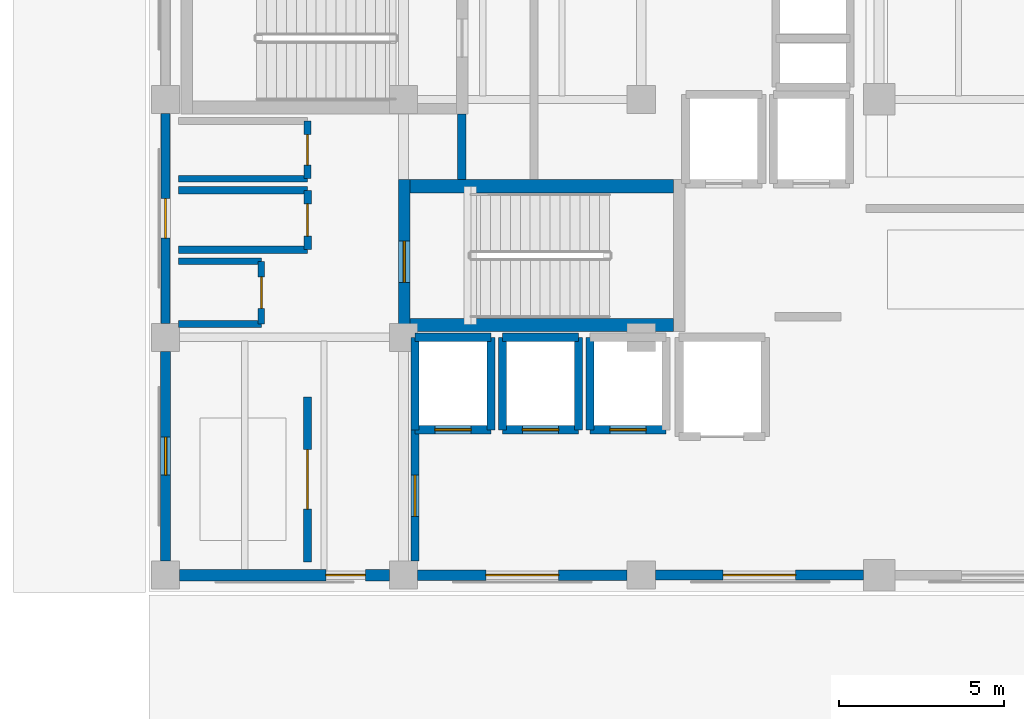
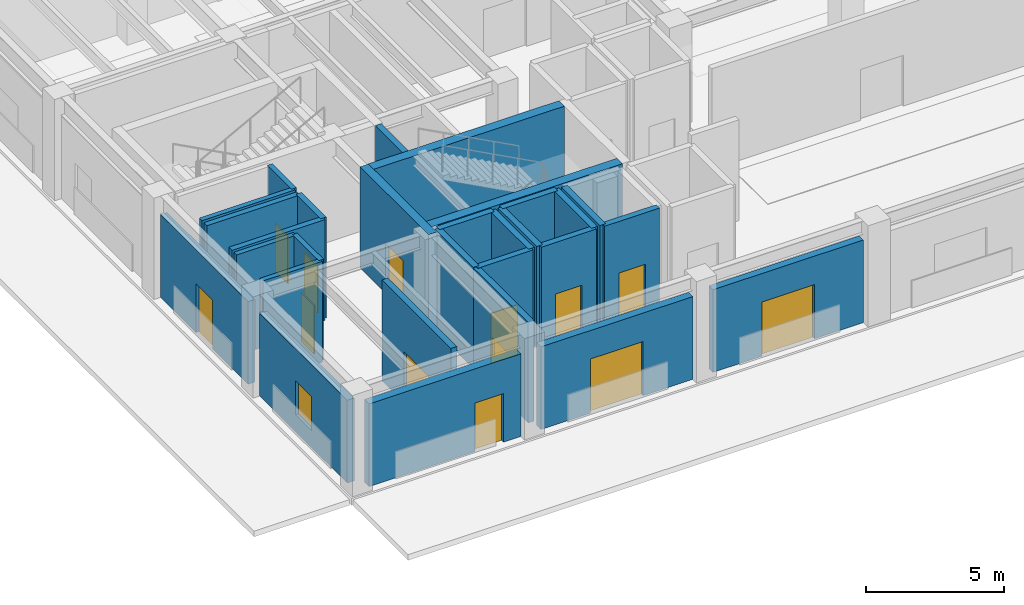
# One storey, part 23 of 39: 29 walls, 13 doors, 1 window, 14 openings.
"""IFC4 building model written with IfcOpenShell, lengths in metres."""

from ifc_helpers import new_model, si_unit, direction, frame, frame_2d, origin, place, context, subcontext, project, spatial, rectangle, extrude, material, layer, layer_set, type_object, element, fill, save


model = new_model("IFC4")

# Units and contexts
model_context = context("Model", 3, precision=1e-05, world=origin(), true_north=direction((0.0, 1.0)))
body_context = subcontext(model_context, "Body", "Model", "MODEL_VIEW")
ifc_project = project(units=[si_unit("LENGTHUNIT", "METRE"), si_unit("AREAUNIT", "SQUARE_METRE"), si_unit("VOLUMEUNIT", "CUBIC_METRE"), si_unit("PLANEANGLEUNIT", "RADIAN"), si_unit("MASSUNIT", "GRAM", prefix="KILO")], contexts=[model_context])

# Site, building, storey
site_placement = place(None, origin())
site = spatial("IfcSite", under=ifc_project, at=site_placement, CompositionType="ELEMENT")
building_placement = place(site_placement, origin())
building = spatial("IfcBuilding", under=site, at=building_placement, Name="Kandorven Conservatory and Botanical Research Centre", CompositionType="ELEMENT")
storey_placement = place(building_placement, origin())
storey = spatial("IfcBuildingStorey", under=building, at=storey_placement, Name="L00", CompositionType="ELEMENT", Elevation=0.0)

# Walls
ifc_material_1 = material(Name="Concrete C40/50 (M50)", Category="concrete")
ifc_layer_1 = layer(ifc_material_1, 0.39990234375)
ifc_layer_set_1 = layer_set([ifc_layer_1], Name="Concrete C40/50 (M50)")
wall_type_1 = type_object("IfcWallType", Name="Wall_CW-RC-1", PredefinedType="SHEAR", material=ifc_layer_set_1)
for number, where, z_axis, x_axis, name in (
    (1, (13.39990234375, 13.574951171875, 0.0), (0.0, 0.0, 1.0), (1.0, 0.0, 0.0), "Core stair shear wall CW-RC-1 ST-T1 L00 side A"),
    (2, (13.39990234375, 17.77490234375, 0.0), (0.0, 0.0, 1.0), (1.0, 0.0, 0.0), "Core stair shear wall CW-RC-1 ST-T1 L00 side B"),
):
    element("IfcWall", number, at=place(storey_placement, frame(where, z_axis=z_axis, x_axis=x_axis)), inside=storey, type_object=wall_type_1, Name=name, PredefinedType="SHEAR", context=body_context, shape_type="SweptSolid", body=[
        extrude(rectangle(XDim=7.97998046875, YDim=0.39990234375, at=frame_2d((3.989990234375, 0.0))), origin(), (0.0, 0.0, 1.0), 4.47998046875),
    ])

# Wall, opening, door
ifc_material_2 = material(Name="Concrete C40/50 (M50)", Category="concrete")
ifc_layer_2 = layer(ifc_material_2, 0.35009765625)
ifc_layer_set_2 = layer_set([ifc_layer_2], Name="Concrete C40/50 (M50)")
wall_type_2 = type_object("IfcWallType", Name="Wall_CW-RC-2", PredefinedType="SHEAR", material=ifc_layer_set_2)
wall_1_placement = place(storey_placement, frame((13.22509765625, 13.0, 0.0), z_axis=(0.0, 0.0, 1.0), x_axis=(0.0, 1.0, 0.0)))
wall_1 = element("IfcWall", 3, at=wall_1_placement, inside=storey, type_object=wall_type_2, Name="Core stair shear wall CW-RC-2 ST-T1 L00 entry", PredefinedType="SHEAR", context=body_context, shape_type="SweptSolid", body=[
    extrude(rectangle(XDim=4.969970703125, YDim=0.35009765625, at=frame_2d((2.48486328125, 0.0))), origin(), (0.0, 0.0, 1.0), 4.47998046875),
])
opening_1_placement = place(wall_1_placement, frame((1.860107421875, 0.0, 0.0)))
opening_1 = element("IfcOpeningElement", 4, at=opening_1_placement, cuts=wall_1, Name="Opening FD-1", PredefinedType="OPENING", context=body_context, shape_type="SweptSolid", body=[
    extrude(rectangle(XDim=1.25, YDim=2.199951171875, at=frame_2d((0.625, 1.10009765625))), frame((0.0, 0.18505859375, 0.0), z_axis=(0.0, -1.0, 0.0), x_axis=(1.0, 0.0, 0.0)), (0.0, 0.0, 1.0), 0.3701171875),
])
ifc_material_3 = material(Name="Galvanised hollow steel fire door assembly", Category="steel")
door_type_1 = type_object("IfcDoorType", Name="Door_FD-1", OperationType="NOTDEFINED", PredefinedType="DOOR", material=ifc_material_3)
door_1_placement = place(opening_1_placement, origin())
door_1 = element("IfcDoor", 5, at=door_1_placement, inside=storey, type_object=door_type_1, Name="Exit stair fire door FD-1 ST-T1 L00", OperationType="SINGLE_SWING_LEFT", OverallHeight=2.199951171875, OverallWidth=1.25, PredefinedType="DOOR", context=body_context, shape_type="SweptSolid", body=[
    extrude(rectangle(XDim=1.25, YDim=2.199951171875, at=frame_2d((0.625, 1.10009765625))), frame((0.0, 0.02490234375, 0.0), z_axis=(0.0, -1.0, 0.0), x_axis=(1.0, 0.0, 0.0)), (0.0, 0.0, 1.0), 0.050048828125),
])
fill(opening_1, door_1)

wall_2_placement = place(storey_placement, frame((13.550048828125, 10.39990234375, 0.0), z_axis=(0.0, 0.0, 1.0), x_axis=(1.0, 0.0, 0.0)))
wall_2 = element("IfcWall", 6, at=wall_2_placement, inside=storey, type_object=wall_type_2, Name="Lift shaft wall PL-1 L00 S", PredefinedType="SHEAR", context=body_context, shape_type="SweptSolid", body=[
    extrude(rectangle(XDim=2.300048828125, YDim=0.25, at=frame_2d((1.14990234375, 0.0))), origin(), (0.0, 0.0, 1.0), 4.47998046875),
])
opening_2_placement = place(wall_2_placement, frame((0.60009765625, 0.0, 0.0)))
opening_2 = element("IfcOpeningElement", 7, at=opening_2_placement, cuts=wall_2, Name="Opening LD-01", PredefinedType="OPENING", context=body_context, shape_type="SweptSolid", body=[
    extrude(rectangle(XDim=1.10009765625, YDim=2.199951171875, at=frame_2d((0.550048828125, 1.10009765625))), frame((0.0, 0.135009765625, 0.0), z_axis=(0.0, -1.0, 0.0), x_axis=(1.0, 0.0, 0.0)), (0.0, 0.0, 1.0), 0.27001953125),
])
ifc_material_4 = material(Name="Anodised aluminium sliding landing door", Category="aluminium")
door_type_2 = type_object("IfcDoorType", Name="Door_LD-01", OperationType="DOUBLE_DOOR_SLIDING", PredefinedType="DOOR", material=ifc_material_4)
door_2_placement = place(opening_2_placement, origin())
door_2 = element("IfcDoor", 8, at=door_2_placement, inside=storey, type_object=door_type_2, Name="Lift landing sliding door LD-01 (PL-1 L00)", OperationType="DOUBLE_DOOR_SLIDING", OverallHeight=2.199951171875, OverallWidth=1.10009765625, PredefinedType="DOOR", context=body_context, shape_type="SweptSolid", body=[
    extrude(rectangle(XDim=1.10009765625, YDim=2.199951171875, at=frame_2d((0.550048828125, 1.10009765625))), frame((0.0, 0.02490234375, 0.0), z_axis=(0.0, -1.0, 0.0), x_axis=(1.0, 0.0, 0.0)), (0.0, 0.0, 1.0), 0.050048828125),
])
fill(opening_2, door_2)

# Walls
wall_3_placement = place(storey_placement, frame((13.550048828125, 13.199951171875, 0.0), z_axis=(0.0, 0.0, 1.0), x_axis=(1.0, 0.0, 0.0)))
element("IfcWall", 9, at=wall_3_placement, inside=storey, type_object=wall_type_2, Name="Lift shaft wall PL-1 L00 N", PredefinedType="SHEAR", context=body_context, shape_type="SweptSolid", body=[
    extrude(rectangle(XDim=2.300048828125, YDim=0.25, at=frame_2d((1.14990234375, 0.0))), origin(), (0.0, 0.0, 1.0), 4.47998046875),
])
for number, where, z_axis, x_axis, name in (
    (10, (13.550048828125, 10.39990234375, 0.0), (0.0, 0.0, 1.0), (0.0, 1.0, 0.0), "Lift shaft wall PL-1 L00 W"),
    (11, (15.85009765625, 10.39990234375, 0.0), (0.0, 0.0, 1.0), (0.0, 1.0, 0.0), "Lift shaft wall PL-1 L00 E"),
):
    element("IfcWall", number, at=place(storey_placement, frame(where, z_axis=z_axis, x_axis=x_axis)), inside=storey, type_object=wall_type_2, Name=name, PredefinedType="SHEAR", context=body_context, shape_type="SweptSolid", body=[
        extrude(rectangle(XDim=2.800048828125, YDim=0.25, at=frame_2d((1.39990234375, 0.0))), origin(), (0.0, 0.0, 1.0), 4.47998046875),
    ])

# Wall, opening, door
wall_4_placement = place(storey_placement, frame((16.199951171875, 10.39990234375, 0.0), z_axis=(0.0, 0.0, 1.0), x_axis=(1.0, 0.0, 0.0)))
wall_4 = element("IfcWall", 12, at=wall_4_placement, inside=storey, type_object=wall_type_2, Name="Lift shaft wall PL-2 L00 S", PredefinedType="SHEAR", context=body_context, shape_type="SweptSolid", body=[
    extrude(rectangle(XDim=2.300048828125, YDim=0.25, at=frame_2d((1.14990234375, 0.0))), origin(), (0.0, 0.0, 1.0), 4.47998046875),
])
opening_3_placement = place(wall_4_placement, frame((0.60009765625, 0.0, 0.0)))
opening_3 = element("IfcOpeningElement", 13, at=opening_3_placement, cuts=wall_4, Name="Opening LD-01", PredefinedType="OPENING", context=body_context, shape_type="SweptSolid", body=[
    extrude(rectangle(XDim=1.10009765625, YDim=2.199951171875, at=frame_2d((0.550048828125, 1.10009765625))), frame((0.0, 0.135009765625, 0.0), z_axis=(0.0, -1.0, 0.0), x_axis=(1.0, 0.0, 0.0)), (0.0, 0.0, 1.0), 0.27001953125),
])
door_3_placement = place(opening_3_placement, origin())
door_3 = element("IfcDoor", 14, at=door_3_placement, inside=storey, type_object=door_type_2, Name="Lift landing sliding door LD-01 (PL-2 L00)", OperationType="DOUBLE_DOOR_SLIDING", OverallHeight=2.199951171875, OverallWidth=1.10009765625, PredefinedType="DOOR", context=body_context, shape_type="SweptSolid", body=[
    extrude(rectangle(XDim=1.10009765625, YDim=2.199951171875, at=frame_2d((0.550048828125, 1.10009765625))), frame((0.0, 0.02490234375, 0.0), z_axis=(0.0, -1.0, 0.0), x_axis=(1.0, 0.0, 0.0)), (0.0, 0.0, 1.0), 0.050048828125),
])
fill(opening_3, door_3)

# Walls
wall_5_placement = place(storey_placement, frame((16.199951171875, 13.199951171875, 0.0), z_axis=(0.0, 0.0, 1.0), x_axis=(1.0, 0.0, 0.0)))
element("IfcWall", 15, at=wall_5_placement, inside=storey, type_object=wall_type_2, Name="Lift shaft wall PL-2 L00 N", PredefinedType="SHEAR", context=body_context, shape_type="SweptSolid", body=[
    extrude(rectangle(XDim=2.300048828125, YDim=0.25, at=frame_2d((1.14990234375, 0.0))), origin(), (0.0, 0.0, 1.0), 4.47998046875),
])
for number, where, z_axis, x_axis, name in (
    (16, (16.199951171875, 10.39990234375, 0.0), (0.0, 0.0, 1.0), (0.0, 1.0, 0.0), "Lift shaft wall PL-2 L00 W"),
    (17, (18.5, 10.39990234375, 0.0), (0.0, 0.0, 1.0), (0.0, 1.0, 0.0), "Lift shaft wall PL-2 L00 E"),
):
    element("IfcWall", number, at=place(storey_placement, frame(where, z_axis=z_axis, x_axis=x_axis)), inside=storey, type_object=wall_type_2, Name=name, PredefinedType="SHEAR", context=body_context, shape_type="SweptSolid", body=[
        extrude(rectangle(XDim=2.800048828125, YDim=0.25, at=frame_2d((1.39990234375, 0.0))), origin(), (0.0, 0.0, 1.0), 4.47998046875),
    ])

# Wall, opening, door
wall_6_placement = place(storey_placement, frame((18.85009765625, 10.39990234375, 0.0), z_axis=(0.0, 0.0, 1.0), x_axis=(1.0, 0.0, 0.0)))
wall_6 = element("IfcWall", 18, at=wall_6_placement, inside=storey, type_object=wall_type_2, Name="Lift shaft wall PL-3 L00 S", PredefinedType="SHEAR", context=body_context, shape_type="SweptSolid", body=[
    extrude(rectangle(XDim=2.2998046875, YDim=0.25, at=frame_2d((1.14990234375, 0.0))), origin(), (0.0, 0.0, 1.0), 4.47998046875),
])
opening_4_placement = place(wall_6_placement, frame((0.60009765625, 0.0, 0.0)))
opening_4 = element("IfcOpeningElement", 19, at=opening_4_placement, cuts=wall_6, Name="Opening LD-01", PredefinedType="OPENING", context=body_context, shape_type="SweptSolid", body=[
    extrude(rectangle(XDim=1.10009765625, YDim=2.199951171875, at=frame_2d((0.550048828125, 1.10009765625))), frame((0.0, 0.135009765625, 0.0), z_axis=(0.0, -1.0, 0.0), x_axis=(1.0, 0.0, 0.0)), (0.0, 0.0, 1.0), 0.27001953125),
])
door_4_placement = place(opening_4_placement, origin())
door_4 = element("IfcDoor", 20, at=door_4_placement, inside=storey, type_object=door_type_2, Name="Lift landing sliding door LD-01 (PL-3 L00)", OperationType="DOUBLE_DOOR_SLIDING", OverallHeight=2.199951171875, OverallWidth=1.10009765625, PredefinedType="DOOR", context=body_context, shape_type="SweptSolid", body=[
    extrude(rectangle(XDim=1.10009765625, YDim=2.199951171875, at=frame_2d((0.550048828125, 1.10009765625))), frame((0.0, 0.02490234375, 0.0), z_axis=(0.0, -1.0, 0.0), x_axis=(1.0, 0.0, 0.0)), (0.0, 0.0, 1.0), 0.050048828125),
])
fill(opening_4, door_4)

# Wall
wall_7_placement = place(storey_placement, frame((18.85009765625, 10.39990234375, 0.0), z_axis=(0.0, 0.0, 1.0), x_axis=(0.0, 1.0, 0.0)))
element("IfcWall", 21, at=wall_7_placement, inside=storey, type_object=wall_type_2, Name="Lift shaft wall PL-3 L00 W", PredefinedType="SHEAR", context=body_context, shape_type="SweptSolid", body=[
    extrude(rectangle(XDim=2.800048828125, YDim=0.25, at=frame_2d((1.39990234375, 0.0))), origin(), (0.0, 0.0, 1.0), 4.47998046875),
])

# Wall, opening, door
ifc_material_5 = material(Name="Concrete C32/40 (M40)", Category="concrete")
ifc_layer_3 = layer(ifc_material_5, 0.340087890625)
ifc_layer_set_3 = layer_set([ifc_layer_3], Name="Concrete C32/40 (M40)")
wall_type_3 = type_object("IfcWallType", Name="Wall_EW-02", PredefinedType="STANDARD", material=ifc_layer_set_3)
wall_8_placement = place(storey_placement, frame((6.425048828125, 6.0, 0.0), z_axis=(0.0, 0.0, 1.0), x_axis=(1.0, 0.0, 0.0)))
wall_8 = element("IfcWall", 22, at=wall_8_placement, inside=storey, type_object=wall_type_3, Name="Tower concrete facade wall EW-02 S L00", PredefinedType="STANDARD", context=body_context, shape_type="SweptSolid", body=[
    extrude(rectangle(XDim=6.349853515625, YDim=0.340087890625, at=frame_2d((3.1748046875, 0.0))), origin(), (0.0, 0.0, 1.0), 3.659912109375),
])
opening_5_placement = place(wall_8_placement, frame((4.425048828125, 0.0, 0.0)))
opening_5 = element("IfcOpeningElement", 23, at=opening_5_placement, cuts=wall_8, Name="Opening ED-08", PredefinedType="OPENING", context=body_context, shape_type="SweptSolid", body=[
    extrude(rectangle(XDim=1.199951171875, YDim=2.14990234375, at=frame_2d((0.60009765625, 1.074951171875))), frame((0.0, 0.179931640625, 0.0), z_axis=(0.0, -1.0, 0.0), x_axis=(1.0, 0.0, 0.0)), (0.0, 0.0, 1.0), 0.360107421875),
])
ifc_material_6 = material(Name="Bronze anodised thermally broken aluminium", Category="aluminium")
door_type_3 = type_object("IfcDoorType", Name="Door_ED-08", OperationType="NOTDEFINED", PredefinedType="DOOR", material=ifc_material_6)
door_5_placement = place(opening_5_placement, frame((1.199951171875, 0.0, 0.0), z_axis=(0.0, 0.0, 1.0), x_axis=(-1.0, 0.0, 0.0)))
door_5 = element("IfcDoor", 24, at=door_5_placement, inside=storey, type_object=door_type_3, Name="Final exit door ED-08 from Protected Exit Passage ST-T1", OperationType="SINGLE_SWING_LEFT", OverallHeight=2.14990234375, OverallWidth=1.199951171875, PredefinedType="DOOR", context=body_context, shape_type="SweptSolid", body=[
    extrude(rectangle(XDim=1.199951171875, YDim=2.14990234375, at=frame_2d((0.60009765625, 1.074951171875))), frame((0.0, 0.02490234375, 0.0), z_axis=(0.0, -1.0, 0.0), x_axis=(1.0, 0.0, 0.0)), (0.0, 0.0, 1.0), 0.050048828125),
])
fill(opening_5, door_5)

ifc_material_7 = material(Name="Concrete C32/40 (M40)", Category="concrete")
ifc_layer_4 = layer(ifc_material_7, 0.320068359375)
ifc_layer_set_4 = layer_set([ifc_layer_4], Name="Concrete C32/40 (M40)")
wall_type_4 = type_object("IfcWallType", Name="Wall_EW-03", PredefinedType="STANDARD", material=ifc_layer_set_4)
wall_9_placement = place(storey_placement, frame((13.625, 6.0, 0.0), z_axis=(0.0, 0.0, 1.0), x_axis=(1.0, 0.0, 0.0)))
wall_9 = element("IfcWall", 25, at=wall_9_placement, inside=storey, type_object=wall_type_4, Name="Tower concrete facade wall EW-03 S L00", PredefinedType="STANDARD", context=body_context, shape_type="SweptSolid", body=[
    extrude(rectangle(XDim=6.35009765625, YDim=0.320068359375, at=frame_2d((3.175048828125, 0.0))), origin(), (0.0, 0.0, 1.0), 3.659912109375),
])
opening_6_placement = place(wall_9_placement, frame((2.074951171875, 0.0, 0.0)))
opening_6 = element("IfcOpeningElement", 26, at=opening_6_placement, cuts=wall_9, Name="Opening ED-01", PredefinedType="OPENING", context=body_context, shape_type="SweptSolid", body=[
    extrude(rectangle(XDim=2.199951171875, YDim=2.39990234375, at=frame_2d((1.10009765625, 1.199951171875))), frame((0.0, 0.169921875, 0.0), z_axis=(0.0, -1.0, 0.0), x_axis=(1.0, 0.0, 0.0)), (0.0, 0.0, 1.0), 0.340087890625),
])
ifc_material_8 = material(Name="Bronze anodised thermally broken aluminium", Category="aluminium")
door_type_4 = type_object("IfcDoorType", Name="Door_ED-01", OperationType="NOTDEFINED", PredefinedType="DOOR", material=ifc_material_8)
door_6_placement = place(opening_6_placement, frame((2.199951171875, 0.0, 0.0), z_axis=(0.0, 0.0, 1.0), x_axis=(-1.0, 0.0, 0.0)))
door_6 = element("IfcDoor", 27, at=door_6_placement, inside=storey, type_object=door_type_4, Name="Tower boulevard final exit door ED-01", OperationType="DOUBLE_DOOR_SINGLE_SWING", OverallHeight=2.39990234375, OverallWidth=2.199951171875, PredefinedType="DOOR", context=body_context, shape_type="SweptSolid", body=[
    extrude(rectangle(XDim=2.199951171875, YDim=2.39990234375, at=frame_2d((1.10009765625, 1.199951171875))), frame((0.0, 0.02490234375, 0.0), z_axis=(0.0, -1.0, 0.0), x_axis=(1.0, 0.0, 0.0)), (0.0, 0.0, 1.0), 0.050048828125),
])
fill(opening_6, door_6)

ifc_material_9 = material(Name="Concrete C32/40 (M40)", Category="concrete")
ifc_layer_5 = layer(ifc_material_9, 0.300048828125)
ifc_layer_set_5 = layer_set([ifc_layer_5], Name="Concrete C32/40 (M40)")
wall_type_5 = type_object("IfcWallType", Name="Wall_EW-04", PredefinedType="STANDARD", material=ifc_layer_set_5)
wall_10_placement = place(storey_placement, frame((20.824951171875, 6.0, 0.0), z_axis=(0.0, 0.0, 1.0), x_axis=(1.0, 0.0, 0.0)))
wall_10 = element("IfcWall", 28, at=wall_10_placement, inside=storey, type_object=wall_type_5, Name="Tower concrete facade wall EW-04 S L00", PredefinedType="STANDARD", context=body_context, shape_type="SweptSolid", body=[
    extrude(rectangle(XDim=6.300048828125, YDim=0.300048828125, at=frame_2d((3.14990234375, 0.0))), origin(), (0.0, 0.0, 1.0), 3.659912109375),
])
opening_7_placement = place(wall_10_placement, frame((2.050048828125, 0.0, 0.0)))
opening_7 = element("IfcOpeningElement", 29, at=opening_7_placement, cuts=wall_10, Name="Opening ED-01", PredefinedType="OPENING", context=body_context, shape_type="SweptSolid", body=[
    extrude(rectangle(XDim=2.199951171875, YDim=2.39990234375, at=frame_2d((1.10009765625, 1.199951171875))), frame((0.0, 0.159912109375, 0.0), z_axis=(0.0, -1.0, 0.0), x_axis=(1.0, 0.0, 0.0)), (0.0, 0.0, 1.0), 0.320068359375),
])
door_7_placement = place(opening_7_placement, frame((2.199951171875, 0.0, 0.0), z_axis=(0.0, 0.0, 1.0), x_axis=(-1.0, 0.0, 0.0)))
door_7 = element("IfcDoor", 30, at=door_7_placement, inside=storey, type_object=door_type_4, Name="Tower boulevard final exit door ED-01", OperationType="DOUBLE_DOOR_SINGLE_SWING", OverallHeight=2.39990234375, OverallWidth=2.199951171875, PredefinedType="DOOR", context=body_context, shape_type="SweptSolid", body=[
    extrude(rectangle(XDim=2.199951171875, YDim=2.39990234375, at=frame_2d((1.10009765625, 1.199951171875))), frame((0.0, 0.02490234375, 0.0), z_axis=(0.0, -1.0, 0.0), x_axis=(1.0, 0.0, 0.0)), (0.0, 0.0, 1.0), 0.050048828125),
])
fill(opening_7, door_7)

# Wall, opening, window
wall_11_placement = place(storey_placement, frame((6.0, 6.425048828125, 0.0), z_axis=(0.0, 0.0, 1.0), x_axis=(0.0, 1.0, 0.0)))
wall_11 = element("IfcWall", 31, at=wall_11_placement, inside=storey, type_object=wall_type_5, Name="Tower concrete facade wall EW-04 W L00", PredefinedType="STANDARD", context=body_context, shape_type="SweptSolid", body=[
    extrude(rectangle(XDim=6.349853515625, YDim=0.300048828125, at=frame_2d((3.1748046875, 0.0))), origin(), (0.0, 0.0, 1.0), 3.659912109375),
])
opening_8_placement = place(wall_11_placement, frame((2.60009765625, 0.0, 0.75)))
opening_8 = element("IfcOpeningElement", 32, at=opening_8_placement, cuts=wall_11, Name="Opening W-39", PredefinedType="OPENING", context=body_context, shape_type="SweptSolid", body=[
    extrude(rectangle(XDim=1.14990234375, YDim=1.5, at=frame_2d((0.574951171875, 0.75))), frame((0.0, 0.159912109375, 0.0), z_axis=(0.0, -1.0, 0.0), x_axis=(1.0, 0.0, 0.0)), (0.0, 0.0, 1.0), 0.320068359375),
])
ifc_material_10 = material(Name="Double-glazed solar-control low-E glass", Category="glass")
window_type = type_object("IfcWindowType", Name="Win_W-39", PartitioningType="DOUBLE_PANEL_VERTICAL", PredefinedType="WINDOW", material=ifc_material_10)
window_placement = place(opening_8_placement, origin())
window = element("IfcWindow", 33, at=window_placement, inside=storey, type_object=window_type, Name="Tower recessed solar window W-39", OverallHeight=1.5, OverallWidth=1.14990234375, PartitioningType="SINGLE_PANEL", PredefinedType="WINDOW", context=body_context, shape_type="SweptSolid", body=[
    extrude(rectangle(XDim=1.14990234375, YDim=1.5, at=frame_2d((0.574951171875, 0.75))), frame((0.0, 0.030029296875, 0.0), z_axis=(0.0, -1.0, 0.0), x_axis=(1.0, 0.0, 0.0)), (0.0, 0.0, 1.0), 0.06005859375),
])
fill(opening_8, window)

# Wall, opening, door
ifc_material_11 = material(Name="Concrete C32/40 (M40)", Category="concrete")
ifc_layer_6 = layer(ifc_material_11, 0.280029296875)
ifc_layer_set_6 = layer_set([ifc_layer_6], Name="Concrete C32/40 (M40)")
wall_type_6 = type_object("IfcWallType", Name="Wall_EW-05", PredefinedType="STANDARD", material=ifc_layer_set_6)
wall_12_placement = place(storey_placement, frame((6.0, 13.625, 0.0), z_axis=(0.0, 0.0, 1.0), x_axis=(0.0, 1.0, 0.0)))
wall_12 = element("IfcWall", 34, at=wall_12_placement, inside=storey, type_object=wall_type_6, Name="Tower concrete facade wall EW-05 W L00", PredefinedType="STANDARD", context=body_context, shape_type="SweptSolid", body=[
    extrude(rectangle(XDim=6.35009765625, YDim=0.280029296875, at=frame_2d((3.175048828125, 0.0))), origin(), (0.0, 0.0, 1.0), 3.659912109375),
])
opening_9_placement = place(wall_12_placement, frame((2.574951171875, 0.0, 0.0)))
opening_9 = element("IfcOpeningElement", 35, at=opening_9_placement, cuts=wall_12, Name="Opening ED-08", PredefinedType="OPENING", context=body_context, shape_type="SweptSolid", body=[
    extrude(rectangle(XDim=1.199951171875, YDim=2.14990234375, at=frame_2d((0.60009765625, 1.074951171875))), frame((0.0, 0.14990234375, 0.0), z_axis=(0.0, -1.0, 0.0), x_axis=(1.0, 0.0, 0.0)), (0.0, 0.0, 1.0), 0.300048828125),
])
door_8_placement = place(opening_9_placement, origin())
door_8 = element("IfcDoor", 36, at=door_8_placement, inside=storey, type_object=door_type_3, Name="Tower west street exit door ED-08", OperationType="SINGLE_SWING_RIGHT", OverallHeight=2.14990234375, OverallWidth=1.199951171875, PredefinedType="DOOR", context=body_context, shape_type="SweptSolid", body=[
    extrude(rectangle(XDim=1.199951171875, YDim=2.14990234375, at=frame_2d((0.60009765625, 1.074951171875))), frame((0.0, 0.02490234375, 0.0), z_axis=(0.0, -1.0, 0.0), x_axis=(1.0, 0.0, 0.0)), (0.0, 0.0, 1.0), 0.050048828125),
])
fill(opening_9, door_8)

ifc_material_12 = material(Name="Concrete C32/40 (M40)", Category="concrete")
ifc_layer_7 = layer(ifc_material_12, 0.25)
ifc_layer_set_7 = layer_set([ifc_layer_7], Name="Concrete C32/40 (M40)")
wall_type_7 = type_object("IfcWallType", Name="Wall_IW-FR-1", PredefinedType="SOLIDWALL", material=ifc_layer_set_7)
wall_13_placement = place(storey_placement, frame((10.300048828125, 6.39990234375, 0.0), z_axis=(0.0, 0.0, 1.0), x_axis=(0.0, 1.0, 0.0)))
wall_13 = element("IfcWall", 37, at=wall_13_placement, inside=storey, type_object=wall_type_7, Name="Interior fire partition wall IW-FR-1 (Fire Command Room)", PredefinedType="SOLIDWALL", context=body_context, shape_type="SweptSolid", body=[
    extrude(rectangle(XDim=5.0, YDim=0.25, at=frame_2d((2.5, 0.0))), origin(), (0.0, 0.0, 1.0), 4.4599609375),
])
opening_10_placement = place(wall_13_placement, frame((1.60009765625, 0.0, 0.0)))
opening_10 = element("IfcOpeningElement", 38, at=opening_10_placement, cuts=wall_13, Name="Opening FD-4", PredefinedType="OPENING", context=body_context, shape_type="SweptSolid", body=[
    extrude(rectangle(XDim=1.800048828125, YDim=2.25, at=frame_2d((0.89990234375, 1.125))), frame((0.0, 0.135009765625, 0.0), z_axis=(0.0, -1.0, 0.0), x_axis=(1.0, 0.0, 0.0)), (0.0, 0.0, 1.0), 0.27001953125),
])
ifc_material_13 = material(Name="Galvanised hollow steel fire door assembly", Category="steel")
door_type_5 = type_object("IfcDoorType", Name="Door_FD-4", OperationType="NOTDEFINED", PredefinedType="DOOR", material=ifc_material_13)
door_9_placement = place(opening_10_placement, origin())
door_9 = element("IfcDoor", 39, at=door_9_placement, inside=storey, type_object=door_type_5, Name="Interior door FD-4 to Fire Command Room", OperationType="DOUBLE_DOOR_SINGLE_SWING", OverallHeight=2.25, OverallWidth=1.800048828125, PredefinedType="DOOR", context=body_context, shape_type="SweptSolid", body=[
    extrude(rectangle(XDim=1.800048828125, YDim=2.25, at=frame_2d((0.89990234375, 1.125))), frame((0.0, 0.02490234375, 0.0), z_axis=(0.0, -1.0, 0.0), x_axis=(1.0, 0.0, 0.0)), (0.0, 0.0, 1.0), 0.050048828125),
])
fill(opening_10, door_9)

wall_14_placement = place(storey_placement, frame((13.550048828125, 6.429931640625, 0.0), z_axis=(0.0, 0.0, 1.0), x_axis=(0.0, 1.0, 0.0)))
wall_14 = element("IfcWall", 40, at=wall_14_placement, inside=storey, type_object=wall_type_7, Name="Protected exit passage ST-T1 fire wall IW-FR-1 E", PredefinedType="SOLIDWALL", context=body_context, shape_type="SweptSolid", body=[
    extrude(rectangle(XDim=3.969970703125, YDim=0.25, at=frame_2d((1.98486328125, 0.0))), origin(), (0.0, 0.0, 1.0), 4.4599609375),
])
opening_11_placement = place(wall_14_placement, frame((1.35009765625, 0.0, 0.0)))
opening_11 = element("IfcOpeningElement", 41, at=opening_11_placement, cuts=wall_14, Name="Opening FD-1", PredefinedType="OPENING", context=body_context, shape_type="SweptSolid", body=[
    extrude(rectangle(XDim=1.25, YDim=2.199951171875, at=frame_2d((0.625, 1.10009765625))), frame((0.0, 0.135009765625, 0.0), z_axis=(0.0, -1.0, 0.0), x_axis=(1.0, 0.0, 0.0)), (0.0, 0.0, 1.0), 0.27001953125),
])
door_10_placement = place(opening_11_placement, origin())
door_10 = element("IfcDoor", 42, at=door_10_placement, inside=storey, type_object=door_type_1, Name="Protected exit passage ST-T1 fire door FD-1", OperationType="SINGLE_SWING_LEFT", OverallHeight=2.199951171875, OverallWidth=1.25, PredefinedType="DOOR", context=body_context, shape_type="SweptSolid", body=[
    extrude(rectangle(XDim=1.25, YDim=2.199951171875, at=frame_2d((0.625, 1.10009765625))), frame((0.0, 0.02490234375, 0.0), z_axis=(0.0, -1.0, 0.0), x_axis=(1.0, 0.0, 0.0)), (0.0, 0.0, 1.0), 0.050048828125),
])
fill(opening_11, door_10)

# Wall
wall_15_placement = place(storey_placement, frame((14.969970703125, 17.969970703125, 0.0), z_axis=(0.0, 0.0, 1.0), x_axis=(0.0, 1.0, 0.0)))
element("IfcWall", 43, at=wall_15_placement, inside=storey, type_object=wall_type_7, Name="Protected exit passage ST-T2 fire wall IW-FR-1 W", PredefinedType="SOLIDWALL", context=body_context, shape_type="SweptSolid", body=[
    extrude(rectangle(XDim=1.989990234375, YDim=0.25, at=frame_2d((0.9951171875, 0.0))), origin(), (0.0, 0.0, 1.0), 4.4599609375),
])

# Wall, opening, door
ifc_material_14 = material(Name="Autoclaved aerated concrete blockwork masonry", Category="masonry")
ifc_layer_8 = layer(ifc_material_14, 0.22998046875)
ifc_layer_set_8 = layer_set([ifc_layer_8], Name="Autoclaved aerated concrete blockwork masonry")
wall_type_8 = type_object("IfcWallType", Name="Wall_PW-PL-1", PredefinedType="PLUMBINGWALL", material=ifc_layer_set_8)
wall_16_placement = place(storey_placement, frame((10.300048828125, 15.85009765625, 0.0), z_axis=(0.0, 0.0, 1.0), x_axis=(0.0, 1.0, 0.0)))
wall_16 = element("IfcWall", 44, at=wall_16_placement, inside=storey, type_object=wall_type_8, Name="Interior partition wall PW-PL-1 (Public Female WC L00)", PredefinedType="PLUMBINGWALL", context=body_context, shape_type="SweptSolid", body=[
    extrude(rectangle(XDim=1.7998046875, YDim=0.22998046875, at=frame_2d((0.89990234375, 0.0))), origin(), (0.0, 0.0, 1.0), 4.4599609375),
])
opening_12_placement = place(wall_16_placement, frame((0.409912109375, 0.0, 0.0)))
opening_12 = element("IfcOpeningElement", 45, at=opening_12_placement, cuts=wall_16, Name="Opening D-12", PredefinedType="OPENING", context=body_context, shape_type="SweptSolid", body=[
    extrude(rectangle(XDim=0.97998046875, YDim=2.10009765625, at=frame_2d((0.489990234375, 1.050048828125))), frame((0.0, 0.125, 0.0), z_axis=(0.0, -1.0, 0.0), x_axis=(1.0, 0.0, 0.0)), (0.0, 0.0, 1.0), 0.25),
])
ifc_material_15 = material(Name="Solid core acoustic teak-veneered timber leaf", Category="wood")
door_type_6 = type_object("IfcDoorType", Name="Door_D-12", OperationType="NOTDEFINED", PredefinedType="DOOR", material=ifc_material_15)
door_11_placement = place(opening_12_placement, origin())
door_11 = element("IfcDoor", 46, at=door_11_placement, inside=storey, type_object=door_type_6, Name="Interior door D-12 to Public Female WC L00", OperationType="SINGLE_SWING_RIGHT", OverallHeight=2.10009765625, OverallWidth=0.97998046875, PredefinedType="DOOR", context=body_context, shape_type="SweptSolid", body=[
    extrude(rectangle(XDim=0.97998046875, YDim=2.10009765625, at=frame_2d((0.489990234375, 1.050048828125))), frame((0.0, 0.02490234375, 0.0), z_axis=(0.0, -1.0, 0.0), x_axis=(1.0, 0.0, 0.0)), (0.0, 0.0, 1.0), 0.050048828125),
])
fill(opening_12, door_11)

# Walls
for number, where, z_axis, x_axis, name in (
    (47, (6.39990234375, 15.85009765625, 0.0), (0.0, 0.0, 1.0), (1.0, 0.0, 0.0), "Sanitary enclosure wall PW-PL-1 (Public Female WC L00 S)"),
    (48, (6.39990234375, 17.64990234375, 0.0), (0.0, 0.0, 1.0), (1.0, 0.0, 0.0), "Sanitary enclosure wall PW-PL-1 (Public Female WC L00 N)"),
):
    element("IfcWall", number, at=place(storey_placement, frame(where, z_axis=z_axis, x_axis=x_axis)), inside=storey, type_object=wall_type_8, Name=name, PredefinedType="PLUMBINGWALL", context=body_context, shape_type="SweptSolid", body=[
        extrude(rectangle(XDim=3.900146484375, YDim=0.22998046875, at=frame_2d((1.9501953125, 0.0))), origin(), (0.0, 0.0, 1.0), 4.4599609375),
    ])

# Wall, opening, door
ifc_material_16 = material(Name="Autoclaved aerated concrete blockwork masonry", Category="masonry")
ifc_layer_9 = layer(ifc_material_16, 0.205078125)
ifc_layer_set_9 = layer_set([ifc_layer_9], Name="Autoclaved aerated concrete blockwork masonry")
wall_type_9 = type_object("IfcWallType", Name="Wall_PW-PL-2", PredefinedType="PLUMBINGWALL", material=ifc_layer_set_9)
wall_17_placement = place(storey_placement, frame((8.89990234375, 13.60009765625, 0.0), z_axis=(0.0, 0.0, 1.0), x_axis=(0.0, 1.0, 0.0)))
wall_17 = element("IfcWall", 49, at=wall_17_placement, inside=storey, type_object=wall_type_9, Name="Interior partition wall PW-PL-2 (Accessible WC L00)", PredefinedType="PLUMBINGWALL", context=body_context, shape_type="SweptSolid", body=[
    extrude(rectangle(XDim=1.89990234375, YDim=0.205078125, at=frame_2d((0.949951171875, 0.0))), origin(), (0.0, 0.0, 1.0), 4.4599609375),
])
opening_13_placement = place(wall_17_placement, frame((0.47509765625, 0.0, 0.0)))
opening_13 = element("IfcOpeningElement", 50, at=opening_13_placement, cuts=wall_17, Name="Opening D-01", PredefinedType="OPENING", context=body_context, shape_type="SweptSolid", body=[
    extrude(rectangle(XDim=0.949951171875, YDim=2.14990234375, at=frame_2d((0.47509765625, 1.074951171875))), frame((0.0, 0.112548828125, 0.0), z_axis=(0.0, -1.0, 0.0), x_axis=(1.0, 0.0, 0.0)), (0.0, 0.0, 1.0), 0.22509765625),
])
ifc_material_17 = material(Name="Solid core acoustic teak-veneered timber leaf", Category="wood")
door_type_7 = type_object("IfcDoorType", Name="Door_D-01", OperationType="NOTDEFINED", PredefinedType="DOOR", material=ifc_material_17)
door_12_placement = place(opening_13_placement, origin())
door_12 = element("IfcDoor", 51, at=door_12_placement, inside=storey, type_object=door_type_7, Name="Interior door D-01 to Accessible WC L00", OperationType="SINGLE_SWING_LEFT", OverallHeight=2.14990234375, OverallWidth=0.949951171875, PredefinedType="DOOR", context=body_context, shape_type="SweptSolid", body=[
    extrude(rectangle(XDim=0.949951171875, YDim=2.14990234375, at=frame_2d((0.47509765625, 1.074951171875))), frame((0.0, 0.02490234375, 0.0), z_axis=(0.0, -1.0, 0.0), x_axis=(1.0, 0.0, 0.0)), (0.0, 0.0, 1.0), 0.050048828125),
])
fill(opening_13, door_12)

# Walls
for number, where, z_axis, x_axis, name in (
    (52, (6.39990234375, 13.60009765625, 0.0), (0.0, 0.0, 1.0), (1.0, 0.0, 0.0), "Sanitary enclosure wall PW-PL-2 (Accessible WC L00 S)"),
    (53, (6.39990234375, 15.5, 0.0), (0.0, 0.0, 1.0), (1.0, 0.0, 0.0), "Sanitary enclosure wall PW-PL-2 (Accessible WC L00 N)"),
):
    element("IfcWall", number, at=place(storey_placement, frame(where, z_axis=z_axis, x_axis=x_axis)), inside=storey, type_object=wall_type_9, Name=name, PredefinedType="PLUMBINGWALL", context=body_context, shape_type="SweptSolid", body=[
        extrude(rectangle(XDim=2.5, YDim=0.205078125, at=frame_2d((1.25, 0.0))), origin(), (0.0, 0.0, 1.0), 4.4599609375),
    ])

# Wall, opening, door
wall_18_placement = place(storey_placement, frame((10.300048828125, 18.0, 0.0), z_axis=(0.0, 0.0, 1.0), x_axis=(0.0, 1.0, 0.0)))
wall_18 = element("IfcWall", 54, at=wall_18_placement, inside=storey, type_object=wall_type_9, Name="Interior partition wall PW-PL-2 (Public Male WC L00)", PredefinedType="PLUMBINGWALL", context=body_context, shape_type="SweptSolid", body=[
    extrude(rectangle(XDim=1.75, YDim=0.205078125, at=frame_2d((0.875, 0.0))), origin(), (0.0, 0.0, 1.0), 4.4599609375),
])
opening_14_placement = place(wall_18_placement, frame((0.4150390625, 0.0, 0.0)))
opening_14 = element("IfcOpeningElement", 55, at=opening_14_placement, cuts=wall_18, Name="Opening D-11", PredefinedType="OPENING", context=body_context, shape_type="SweptSolid", body=[
    extrude(rectangle(XDim=0.919921875, YDim=2.10009765625, at=frame_2d((0.4599609375, 1.050048828125))), frame((0.0, 0.112548828125, 0.0), z_axis=(0.0, -1.0, 0.0), x_axis=(1.0, 0.0, 0.0)), (0.0, 0.0, 1.0), 0.22509765625),
])
ifc_material_18 = material(Name="Solid core acoustic teak-veneered timber leaf", Category="wood")
door_type_8 = type_object("IfcDoorType", Name="Door_D-11", OperationType="NOTDEFINED", PredefinedType="DOOR", material=ifc_material_18)
door_13_placement = place(opening_14_placement, frame((0.919921875, 0.0, 0.0), z_axis=(0.0, 0.0, 1.0), x_axis=(-1.0, 0.0, 0.0)))
door_13 = element("IfcDoor", 56, at=door_13_placement, inside=storey, type_object=door_type_8, Name="Interior door D-11 to Public Male WC L00", OperationType="SINGLE_SWING_LEFT", OverallHeight=2.10009765625, OverallWidth=0.919921875, PredefinedType="DOOR", context=body_context, shape_type="SweptSolid", body=[
    extrude(rectangle(XDim=0.919921875, YDim=2.10009765625, at=frame_2d((0.4599609375, 1.050048828125))), frame((0.0, 0.02490234375, 0.0), z_axis=(0.0, -1.0, 0.0), x_axis=(1.0, 0.0, 0.0)), (0.0, 0.0, 1.0), 0.050048828125),
])
fill(opening_14, door_13)

# Wall
wall_19_placement = place(storey_placement, frame((6.39990234375, 18.0, 0.0), z_axis=(0.0, 0.0, 1.0), x_axis=(1.0, 0.0, 0.0)))
element("IfcWall", 57, at=wall_19_placement, inside=storey, type_object=wall_type_9, Name="Sanitary enclosure wall PW-PL-2 (Public Male WC L00 S)", PredefinedType="PLUMBINGWALL", context=body_context, shape_type="SweptSolid", body=[
    extrude(rectangle(XDim=3.900146484375, YDim=0.205078125, at=frame_2d((1.9501953125, 0.0))), origin(), (0.0, 0.0, 1.0), 4.4599609375),
])

save(model, "model.ifc")
